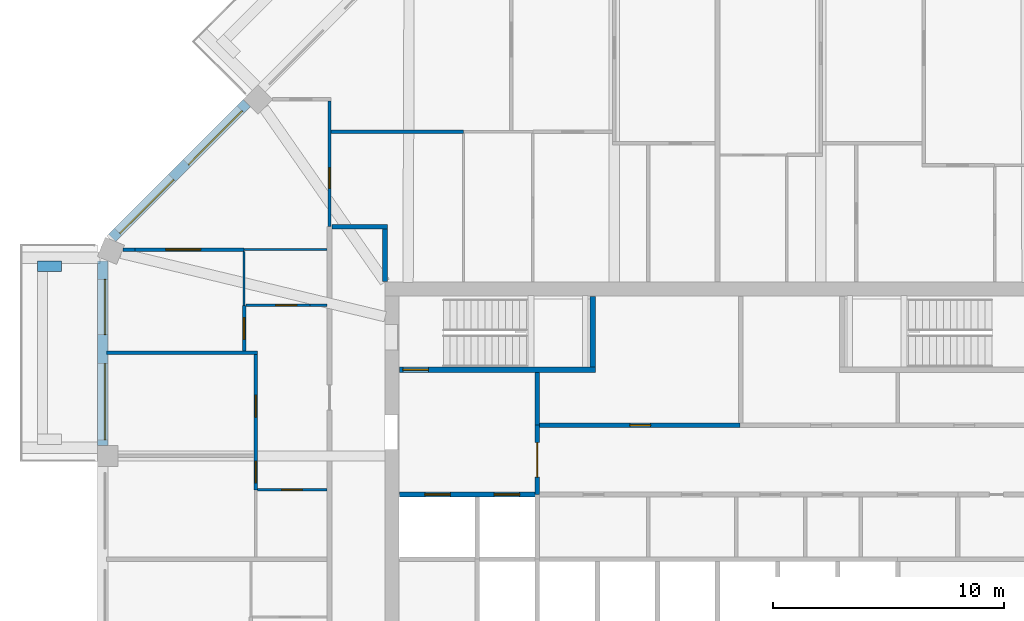
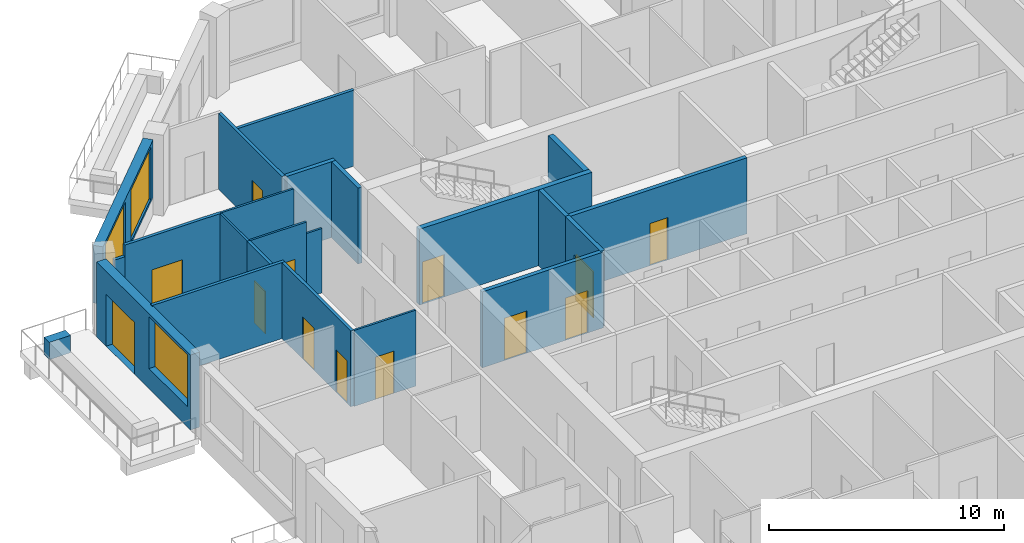
# One storey, part 7 of 12: 23 walls, 13 doors, 3 windows, 16 openings.
"""IFC4 building model written with IfcOpenShell, lengths in metres."""

from ifc_helpers import new_model, si_unit, direction, frame, frame_2d, origin, place, context, subcontext, project, spatial, rectangle, extrude, material, layer, layer_set, type_object, element, fill, save


model = new_model("IFC4")

# Units and contexts
model_context = context("Model", 3, precision=1e-05, world=origin(), true_north=direction((0.0, 1.0)))
body_context = subcontext(model_context, "Body", "Model", "MODEL_VIEW")
ifc_project = project(units=[si_unit("LENGTHUNIT", "METRE"), si_unit("AREAUNIT", "SQUARE_METRE"), si_unit("VOLUMEUNIT", "CUBIC_METRE"), si_unit("PLANEANGLEUNIT", "RADIAN"), si_unit("MASSUNIT", "GRAM", prefix="KILO")], contexts=[model_context])

# Site, building, storey
site_placement = place(None, origin())
site = spatial("IfcSite", under=ifc_project, at=site_placement, CompositionType="ELEMENT")
building_placement = place(site_placement, origin())
building = spatial("IfcBuilding", under=site, at=building_placement, Name="Msitu Wima Residences", CompositionType="ELEMENT")
storey_placement = place(building_placement, frame((0.0, 0.0, 276.89990234375)))
storey = spatial("IfcBuildingStorey", under=building, at=storey_placement, Name="L64", CompositionType="ELEMENT", Elevation=276.89990234375)

# Wall
ifc_material_1 = material(Name="Facing brick")
ifc_layer_1 = layer(ifc_material_1, 0.06494140625, Name="Facing brick")
ifc_material_2 = material(Name="Concrete C40/50", Category="concrete")
ifc_layer_2 = layer(ifc_material_2, 0.156005859375, Name="Concrete C40/50")
ifc_material_3 = material(Name="Waterproofing membrane")
ifc_layer_3 = layer(ifc_material_3, 0.00390625, Name="Waterproofing membrane")
ifc_material_4 = material(Name="Planting soil and planting")
ifc_layer_4 = layer(ifc_material_4, 0.22509765625, Name="Planting soil and planting")
ifc_layer_set_1 = layer_set([ifc_layer_1, ifc_layer_2, ifc_layer_3, ifc_layer_4], Name="Concrete C40/50")
wall_type_1 = type_object("IfcWallType", Name="Balcony planter PLANTER PL450", PredefinedType="USERDEFINED", material=ifc_layer_set_1)
wall_1_placement = place(storey_placement, frame((-28.39990234375, 12.680908203125, 0.0), z_axis=(0.0, 0.0, 1.0), x_axis=(-1.0, 0.0, 0.0)))
element("IfcWall", 1, at=wall_1_placement, inside=storey, type_object=wall_type_1, Name="Balcony planter W0 L64", ObjectType="PLANTER", PredefinedType="USERDEFINED", context=body_context, shape_type="SweptSolid", body=[
    extrude(rectangle(XDim=1.050048828125, YDim=0.449951171875, at=frame_2d((0.52490234375, 0.0))), origin(), (0.0, 0.0, 1.0), 0.900146484375),
])

# Wall, openings, windows
ifc_material_5 = material(Name="Brick (red buff mix)", Category="masonry")
ifc_layer_5 = layer(ifc_material_5, 0.449951171875)
ifc_layer_set_2 = layer_set([ifc_layer_5], Name="Brick (red buff mix)")
wall_type_2 = type_object("IfcWallType", Name="Brick infill wall BW450", PredefinedType="SOLIDWALL", material=ifc_layer_set_2)
wall_2_placement = place(storey_placement, frame((-20.380126953125, 19.743896484375, 0.900146484375), z_axis=(0.0, 0.0, 1.0), x_axis=(-0.707106781187, -0.707106781187, 0.0)))
wall_2 = element("IfcWall", 2, at=wall_2_placement, inside=storey, type_object=wall_type_2, Name="Brick infill wall L64 NW1", PredefinedType="SOLIDWALL", context=body_context, shape_type="SweptSolid", body=[
    extrude(rectangle(XDim=8.251220703125, YDim=0.449951171875, at=frame_2d((4.12548828125, 0.0))), origin(), (0.0, 0.0, 1.0), 3.0),
])
opening_1_placement = place(wall_2_placement, frame((0.37548828125, 0.0, 0.14990234375)))
opening_1 = element("IfcOpeningElement", 3, at=opening_1_placement, cuts=wall_2, Name="Opening W63-64.014", PredefinedType="OPENING", context=body_context, shape_type="SweptSolid", body=[
    extrude(rectangle(XDim=3.300048828125, YDim=2.699951171875, at=frame_2d((1.64990234375, 1.35009765625))), frame((0.0, 0.23486328125, 0.0), z_axis=(0.0, -1.0, 0.0), x_axis=(1.0, 0.0, 0.0)), (0.0, 0.0, 1.0), 0.469970703125),
])
opening_2_placement = place(wall_2_placement, frame((4.57568359375, 0.0, 0.14990234375)))
opening_2 = element("IfcOpeningElement", 4, at=opening_2_placement, cuts=wall_2, Name="Opening W63-64.015", PredefinedType="OPENING", context=body_context, shape_type="SweptSolid", body=[
    extrude(rectangle(XDim=3.300048828125, YDim=2.699951171875, at=frame_2d((1.64990234375, 1.35009765625))), frame((0.0, 0.23486328125, 0.0), z_axis=(0.0, -1.0, 0.0), x_axis=(1.0, 0.0, 0.0)), (0.0, 0.0, 1.0), 0.469970703125),
])
ifc_material_6 = material(Name="Anodised aluminium, bronze finish, clear low-emissivity double glazing", Category="aluminium")
window_type = type_object("IfcWindowType", Name="Window W3300x2700", PartitioningType="DOUBLE_PANEL_VERTICAL", PredefinedType="WINDOW", material=ifc_material_6)
window_1_placement = place(opening_1_placement, origin())
window_1 = element("IfcWindow", 5, at=window_1_placement, inside=storey, type_object=window_type, Name="Window L64 NW1.1", OverallHeight=2.699951171875, OverallWidth=3.300048828125, PartitioningType="SINGLE_PANEL", PredefinedType="WINDOW", context=body_context, shape_type="SweptSolid", body=[
    extrude(rectangle(XDim=3.300048828125, YDim=2.699951171875, at=frame_2d((1.64990234375, 1.35009765625))), frame((0.0, 0.135009765625, 0.0), z_axis=(0.0, -1.0, 0.0), x_axis=(1.0, 0.0, 0.0)), (0.0, 0.0, 1.0), 0.06005859375),
])
fill(opening_1, window_1)
window_2_placement = place(opening_2_placement, origin())
window_2 = element("IfcWindow", 6, at=window_2_placement, inside=storey, type_object=window_type, Name="Window L64 NW1.2", OverallHeight=2.699951171875, OverallWidth=3.300048828125, PartitioningType="SINGLE_PANEL", PredefinedType="WINDOW", context=body_context, shape_type="SweptSolid", body=[
    extrude(rectangle(XDim=3.300048828125, YDim=2.699951171875, at=frame_2d((1.64990234375, 1.35009765625))), frame((0.0, 0.135009765625, 0.0), z_axis=(0.0, -1.0, 0.0), x_axis=(1.0, 0.0, 0.0)), (0.0, 0.0, 1.0), 0.06005859375),
])
fill(opening_2, window_2)

# Wall, openings, door, window
wall_3_placement = place(storey_placement, frame((-26.625, 12.918701171875, 0.0), z_axis=(0.0, 0.0, 1.0), x_axis=(0.0, -1.0, 0.0)))
wall_3 = element("IfcWall", 7, at=wall_3_placement, inside=storey, type_object=wall_type_2, Name="Brick infill wall L64 W0", PredefinedType="SOLIDWALL", context=body_context, shape_type="SweptSolid", body=[
    extrude(rectangle(XDim=8.0, YDim=0.449951171875, at=frame_2d((4.0, 0.0))), origin(), (0.0, 0.0, 1.0), 3.900146484375),
])
opening_3_placement = place(wall_3_placement, frame((0.800048828125, 0.0, 0.0)))
opening_3 = element("IfcOpeningElement", 8, at=opening_3_placement, cuts=wall_3, Name="Opening D63-64.009", PredefinedType="OPENING", context=body_context, shape_type="SweptSolid", body=[
    extrude(rectangle(XDim=2.39990234375, YDim=2.699951171875, at=frame_2d((1.199951171875, 1.35009765625))), frame((0.0, 0.23486328125, 0.0), z_axis=(0.0, -1.0, 0.0), x_axis=(1.0, 0.0, 0.0)), (0.0, 0.0, 1.0), 0.469970703125),
])
opening_4_placement = place(wall_3_placement, frame((4.4501953125, 0.0, 1.050048828125)))
opening_4 = element("IfcOpeningElement", 9, at=opening_4_placement, cuts=wall_3, Name="Opening W63-64.027", PredefinedType="OPENING", context=body_context, shape_type="SweptSolid", body=[
    extrude(rectangle(XDim=3.300048828125, YDim=2.699951171875, at=frame_2d((1.64990234375, 1.35009765625))), frame((0.0, 0.23486328125, 0.0), z_axis=(0.0, -1.0, 0.0), x_axis=(1.0, 0.0, 0.0)), (0.0, 0.0, 1.0), 0.469970703125),
])
door_type_1 = type_object("IfcDoorType", Name="Balcony door D2400x2700", OperationType="SLIDING_TO_LEFT", PredefinedType="DOOR", material=ifc_material_6)
door_1_placement = place(opening_3_placement, origin())
door_1 = element("IfcDoor", 10, at=door_1_placement, inside=storey, type_object=door_type_1, Name="Balcony door L64 W0", OperationType="SINGLE_SWING_LEFT", OverallHeight=2.699951171875, OverallWidth=2.39990234375, PredefinedType="DOOR", context=body_context, shape_type="SweptSolid", body=[
    extrude(rectangle(XDim=2.39990234375, YDim=2.699951171875, at=frame_2d((1.199951171875, 1.35009765625))), frame((0.0, 0.1298828125, 0.0), z_axis=(0.0, -1.0, 0.0), x_axis=(1.0, 0.0, 0.0)), (0.0, 0.0, 1.0), 0.050048828125),
])
fill(opening_3, door_1)
window_3_placement = place(opening_4_placement, origin())
window_3 = element("IfcWindow", 11, at=window_3_placement, inside=storey, type_object=window_type, Name="Window L64 W0.2", OverallHeight=2.699951171875, OverallWidth=3.300048828125, PartitioningType="SINGLE_PANEL", PredefinedType="WINDOW", context=body_context, shape_type="SweptSolid", body=[
    extrude(rectangle(XDim=3.300048828125, YDim=2.699951171875, at=frame_2d((1.64990234375, 1.35009765625))), frame((0.0, 0.135009765625, 0.0), z_axis=(0.0, -1.0, 0.0), x_axis=(1.0, 0.0, 0.0)), (0.0, 0.0, 1.0), 0.06005859375),
])
fill(opening_4, window_3)

# Walls
ifc_material_7 = material(Name="Plaster")
ifc_layer_6 = layer(ifc_material_7, 0.011962890625, Name="Plaster")
ifc_material_8 = material(Name="Concrete blockwork", Category="masonry")
ifc_layer_7 = layer(ifc_material_8, 0.176025390625, Name="Concrete blockwork")
ifc_layer_8 = layer(ifc_material_7, 0.011962890625, Name="Plaster")
ifc_layer_set_3 = layer_set([ifc_layer_6, ifc_layer_7, ifc_layer_8], Name="Concrete blockwork")
wall_type_3 = type_object("IfcWallType", Name="Corridor wall FW200", PredefinedType="PARTITIONING", material=ifc_layer_set_3)
wall_4_placement = place(storey_placement, frame((-16.699951171875, 14.39990234375, 0.0), z_axis=(0.0, 0.0, 1.0), x_axis=(1.0, 0.0, 0.0)))
element("IfcWall", 12, at=wall_4_placement, inside=storey, type_object=wall_type_3, Name="Corridor wall", PredefinedType="PARTITIONING", context=body_context, shape_type="SweptSolid", body=[
    extrude(rectangle(XDim=2.39990234375, YDim=0.199951171875, at=frame_2d((1.199951171875, 0.0))), origin(), (0.0, 0.0, 1.0), 3.9501953125),
])
wall_5_placement = place(storey_placement, frame((-14.39990234375, 12.030029296875, 0.0), z_axis=(0.0, 0.0, 1.0), x_axis=(0.0, 1.0, 0.0)))
element("IfcWall", 13, at=wall_5_placement, inside=storey, type_object=wall_type_3, Name="Corridor wall", PredefinedType="PARTITIONING", context=body_context, shape_type="SweptSolid", body=[
    extrude(rectangle(XDim=2.27001953125, YDim=0.199951171875, at=frame_2d((1.135009765625, 0.0))), origin(), (0.0, 0.0, 1.0), 3.9501953125),
])

# Wall, opening, door
wall_6_placement = place(storey_placement, frame((-7.800048828125, 2.800048828125, 0.0), z_axis=(0.0, 0.0, 1.0), x_axis=(0.0, 1.0, 0.0)))
wall_6 = element("IfcWall", 14, at=wall_6_placement, inside=storey, type_object=wall_type_3, Name="Corridor wall", PredefinedType="PARTITIONING", context=body_context, shape_type="SweptSolid", body=[
    extrude(rectangle(XDim=3.0, YDim=0.199951171875, at=frame_2d((1.5, 0.0))), origin(), (0.0, 0.0, 1.0), 3.9501953125),
])
opening_5_placement = place(wall_6_placement, frame((0.75, 0.0, 0.0)))
opening_5 = element("IfcOpeningElement", 15, at=opening_5_placement, cuts=wall_6, Name="Opening D63-64.069", PredefinedType="OPENING", context=body_context, shape_type="SweptSolid", body=[
    extrude(rectangle(XDim=1.5, YDim=2.39990234375, at=frame_2d((0.75, 1.199951171875))), frame((0.0, 0.10986328125, 0.0), z_axis=(0.0, -1.0, 0.0), x_axis=(1.0, 0.0, 0.0)), (0.0, 0.0, 1.0), 0.219970703125),
])
ifc_material_9 = material(Name="Steel framed glazed door, fire resisting", Category="steel")
door_type_2 = type_object("IfcDoorType", Name="Lobby door D07 1500x2400", OperationType="DOUBLE_DOOR_SINGLE_SWING", PredefinedType="DOOR", material=ifc_material_9)
door_2_placement = place(opening_5_placement, origin())
door_2 = element("IfcDoor", 16, at=door_2_placement, inside=storey, type_object=door_type_2, Name="Lobby door", OperationType="DOUBLE_DOOR_SINGLE_SWING", OverallHeight=2.39990234375, OverallWidth=1.5, PredefinedType="DOOR", context=body_context, shape_type="SweptSolid", body=[
    extrude(rectangle(XDim=1.5, YDim=2.39990234375, at=frame_2d((0.75, 1.199951171875))), frame((0.0, 0.02490234375, 0.0), z_axis=(0.0, -1.0, 0.0), x_axis=(1.0, 0.0, 0.0)), (0.0, 0.0, 1.0), 0.050048828125),
])
fill(opening_5, door_2)

# Walls
ifc_layer_9 = layer(ifc_material_7, 0.011962890625, Name="Plaster")
ifc_layer_10 = layer(ifc_material_8, 0.1259765625, Name="Concrete blockwork")
ifc_layer_11 = layer(ifc_material_7, 0.011962890625, Name="Plaster")
ifc_layer_set_4 = layer_set([ifc_layer_9, ifc_layer_10, ifc_layer_11], Name="Concrete blockwork")
wall_type_4 = type_object("IfcWallType", Name="Partition PW150", PredefinedType="PARTITIONING", material=ifc_layer_set_4)
wall_7_placement = place(storey_placement, frame((-26.455078125, 8.937255859375, 0.0), z_axis=(0.0, 0.0, 1.0), x_axis=(1.0, 0.0, 0.0)))
element("IfcWall", 17, at=wall_7_placement, inside=storey, type_object=wall_type_4, Name="Partition", PredefinedType="PARTITIONING", context=body_context, shape_type="SweptSolid", body=[
    extrude(rectangle(XDim=6.530029296875, YDim=0.14990234375, at=frame_2d((3.26513671875, 0.0))), origin(), (0.0, 0.0, 1.0), 3.9501953125),
])
wall_8_placement = place(storey_placement, frame((-25.731201171875, 13.406005859375, 0.0), z_axis=(0.0, 0.0, 1.0), x_axis=(1.0, 0.0, 0.0)))
element("IfcWall", 18, at=wall_8_placement, inside=storey, type_object=wall_type_4, Name="Partition", PredefinedType="PARTITIONING", context=body_context, shape_type="SweptSolid", body=[
    extrude(rectangle(XDim=0.507080078125, YDim=0.14990234375, at=frame_2d((0.25341796875, 0.0))), origin(), (0.0, 0.0, 1.0), 3.35009765625),
])

# Wall, opening, door
wall_9_placement = place(storey_placement, frame((-25.22412109375, 13.406005859375, 0.0), z_axis=(0.0, 0.0, 1.0), x_axis=(1.0, 0.0, 0.0)))
wall_9 = element("IfcWall", 19, at=wall_9_placement, inside=storey, type_object=wall_type_4, Name="Partition", PredefinedType="PARTITIONING", context=body_context, shape_type="SweptSolid", body=[
    extrude(rectangle(XDim=4.72412109375, YDim=0.14990234375, at=frame_2d((2.362060546875, 0.0))), origin(), (0.0, 0.0, 1.0), 3.9501953125),
])
opening_6_placement = place(wall_9_placement, frame((1.3427734375, 0.0, 0.0)))
opening_6 = element("IfcOpeningElement", 20, at=opening_6_placement, cuts=wall_9, Name="Opening D63-64.035", PredefinedType="OPENING", context=body_context, shape_type="SweptSolid", body=[
    extrude(rectangle(XDim=1.5, YDim=2.199951171875, at=frame_2d((0.75, 1.10009765625))), frame((0.0, 0.0849609375, 0.0), z_axis=(0.0, -1.0, 0.0), x_axis=(1.0, 0.0, 0.0)), (0.0, 0.0, 1.0), 0.169921875),
])
ifc_material_10 = material(Name="Timber double door", Category="wood")
door_type_3 = type_object("IfcDoorType", Name="Double door D04 1500x2200", OperationType="DOUBLE_DOOR_SINGLE_SWING", PredefinedType="DOOR", material=ifc_material_10)
door_3_placement = place(opening_6_placement, origin())
door_3 = element("IfcDoor", 21, at=door_3_placement, inside=storey, type_object=door_type_3, Name="Double door", OperationType="DOUBLE_DOOR_SINGLE_SWING", OverallHeight=2.199951171875, OverallWidth=1.5, PredefinedType="DOOR", context=body_context, shape_type="SweptSolid", body=[
    extrude(rectangle(XDim=1.5, YDim=2.199951171875, at=frame_2d((0.75, 1.10009765625))), frame((0.0, 0.02490234375, 0.0), z_axis=(0.0, -1.0, 0.0), x_axis=(1.0, 0.0, 0.0)), (0.0, 0.0, 1.0), 0.050048828125),
])
fill(opening_6, door_3)

wall_10_placement = place(storey_placement, frame((-20.5, 9.01220703125, 0.0), z_axis=(0.0, 0.0, 1.0), x_axis=(0.0, 1.0, 0.0)))
wall_10 = element("IfcWall", 22, at=wall_10_placement, inside=storey, type_object=wall_type_4, Name="Partition", PredefinedType="PARTITIONING", context=body_context, shape_type="SweptSolid", body=[
    extrude(rectangle(XDim=1.9677734375, YDim=0.14990234375, at=frame_2d((0.98388671875, 0.0))), origin(), (0.0, 0.0, 1.0), 3.9501953125),
])
opening_7_placement = place(wall_10_placement, frame((0.5, 0.0, 0.0)))
opening_7 = element("IfcOpeningElement", 23, at=opening_7_placement, cuts=wall_10, Name="Opening D63-64.034", PredefinedType="OPENING", context=body_context, shape_type="SweptSolid", body=[
    extrude(rectangle(XDim=0.949951171875, YDim=2.199951171875, at=frame_2d((0.47509765625, 1.10009765625))), frame((0.0, 0.0849609375, 0.0), z_axis=(0.0, -1.0, 0.0), x_axis=(1.0, 0.0, 0.0)), (0.0, 0.0, 1.0), 0.169921875),
])
ifc_material_11 = material(Name="Timber flush door", Category="wood")
door_type_4 = type_object("IfcDoorType", Name="Room door D12 950x2200", OperationType="SINGLE_SWING_LEFT", PredefinedType="DOOR", material=ifc_material_11)
door_4_placement = place(opening_7_placement, origin())
door_4 = element("IfcDoor", 24, at=door_4_placement, inside=storey, type_object=door_type_4, Name="Room door", OperationType="SINGLE_SWING_LEFT", OverallHeight=2.199951171875, OverallWidth=0.949951171875, PredefinedType="DOOR", context=body_context, shape_type="SweptSolid", body=[
    extrude(rectangle(XDim=0.949951171875, YDim=2.199951171875, at=frame_2d((0.47509765625, 1.10009765625))), frame((0.0, 0.02490234375, 0.0), z_axis=(0.0, -1.0, 0.0), x_axis=(1.0, 0.0, 0.0)), (0.0, 0.0, 1.0), 0.050048828125),
])
fill(opening_7, door_4)

# Wall, openings, doors
wall_11_placement = place(storey_placement, frame((-20.0, 3.0, 0.0), z_axis=(0.0, 0.0, 1.0), x_axis=(0.0, 1.0, 0.0)))
wall_11 = element("IfcWall", 25, at=wall_11_placement, inside=storey, type_object=wall_type_4, Name="Partition", PredefinedType="PARTITIONING", context=body_context, shape_type="SweptSolid", body=[
    extrude(rectangle(XDim=5.8623046875, YDim=0.14990234375, at=frame_2d((2.93115234375, 0.0))), origin(), (0.0, 0.0, 1.0), 3.9501953125),
])
opening_8_placement = place(wall_11_placement, frame((0.300048828125, 0.0, 0.0)))
opening_8 = element("IfcOpeningElement", 26, at=opening_8_placement, cuts=wall_11, Name="Opening D63-64.032", PredefinedType="OPENING", context=body_context, shape_type="SweptSolid", body=[
    extrude(rectangle(XDim=0.949951171875, YDim=2.199951171875, at=frame_2d((0.47509765625, 1.10009765625))), frame((0.0, 0.0849609375, 0.0), z_axis=(0.0, -1.0, 0.0), x_axis=(1.0, 0.0, 0.0)), (0.0, 0.0, 1.0), 0.169921875),
])
opening_9_placement = place(wall_11_placement, frame((3.14990234375, 0.0, 0.0)))
opening_9 = element("IfcOpeningElement", 27, at=opening_9_placement, cuts=wall_11, Name="Opening D63-64.033", PredefinedType="OPENING", context=body_context, shape_type="SweptSolid", body=[
    extrude(rectangle(XDim=0.949951171875, YDim=2.199951171875, at=frame_2d((0.47509765625, 1.10009765625))), frame((0.0, 0.0849609375, 0.0), z_axis=(0.0, -1.0, 0.0), x_axis=(1.0, 0.0, 0.0)), (0.0, 0.0, 1.0), 0.169921875),
])
door_5_placement = place(opening_8_placement, origin())
door_5 = element("IfcDoor", 28, at=door_5_placement, inside=storey, type_object=door_type_4, Name="Room door", OperationType="SINGLE_SWING_RIGHT", OverallHeight=2.199951171875, OverallWidth=0.949951171875, PredefinedType="DOOR", context=body_context, shape_type="SweptSolid", body=[
    extrude(rectangle(XDim=0.949951171875, YDim=2.199951171875, at=frame_2d((0.47509765625, 1.10009765625))), frame((0.0, 0.02490234375, 0.0), z_axis=(0.0, -1.0, 0.0), x_axis=(1.0, 0.0, 0.0)), (0.0, 0.0, 1.0), 0.050048828125),
])
fill(opening_8, door_5)
door_6_placement = place(opening_9_placement, origin())
door_6 = element("IfcDoor", 29, at=door_6_placement, inside=storey, type_object=door_type_4, Name="Room door", OperationType="SINGLE_SWING_LEFT", OverallHeight=2.199951171875, OverallWidth=0.949951171875, PredefinedType="DOOR", context=body_context, shape_type="SweptSolid", body=[
    extrude(rectangle(XDim=0.949951171875, YDim=2.199951171875, at=frame_2d((0.47509765625, 1.10009765625))), frame((0.0, 0.02490234375, 0.0), z_axis=(0.0, -1.0, 0.0), x_axis=(1.0, 0.0, 0.0)), (0.0, 0.0, 1.0), 0.050048828125),
])
fill(opening_9, door_6)

# Wall, opening, door
wall_12_placement = place(storey_placement, frame((-16.800048828125, 14.39990234375, 0.0), z_axis=(0.0, 0.0, 1.0), x_axis=(0.0, 1.0, 0.0)))
wall_12 = element("IfcWall", 30, at=wall_12_placement, inside=storey, type_object=wall_type_4, Name="Partition", PredefinedType="PARTITIONING", context=body_context, shape_type="SweptSolid", body=[
    extrude(rectangle(XDim=5.427978515625, YDim=0.14990234375, at=frame_2d((2.7138671875, 0.0))), origin(), (0.0, 0.0, 1.0), 3.9501953125),
])
opening_10_placement = place(wall_12_placement, frame((1.64990234375, 0.0, 0.0)))
opening_10 = element("IfcOpeningElement", 31, at=opening_10_placement, cuts=wall_12, Name="Opening D63-64.036", PredefinedType="OPENING", context=body_context, shape_type="SweptSolid", body=[
    extrude(rectangle(XDim=0.89990234375, YDim=2.199951171875, at=frame_2d((0.449951171875, 1.10009765625))), frame((0.0, 0.0849609375, 0.0), z_axis=(0.0, -1.0, 0.0), x_axis=(1.0, 0.0, 0.0)), (0.0, 0.0, 1.0), 0.169921875),
])
door_type_5 = type_object("IfcDoorType", Name="Service door D05 900x2200", OperationType="SINGLE_SWING_LEFT", PredefinedType="DOOR", material=ifc_material_11)
door_7_placement = place(opening_10_placement, origin())
door_7 = element("IfcDoor", 32, at=door_7_placement, inside=storey, type_object=door_type_5, Name="Service door", OperationType="SINGLE_SWING_LEFT", OverallHeight=2.199951171875, OverallWidth=0.89990234375, PredefinedType="DOOR", context=body_context, shape_type="SweptSolid", body=[
    extrude(rectangle(XDim=0.89990234375, YDim=2.199951171875, at=frame_2d((0.449951171875, 1.10009765625))), frame((0.0, 0.02490234375, 0.0), z_axis=(0.0, -1.0, 0.0), x_axis=(1.0, 0.0, 0.0)), (0.0, 0.0, 1.0), 0.050048828125),
])
fill(opening_10, door_7)

# Walls
wall_13_placement = place(storey_placement, frame((-16.72509765625, 18.5, 0.0), z_axis=(0.0, 0.0, 1.0), x_axis=(1.0, 0.0, 0.0)))
element("IfcWall", 33, at=wall_13_placement, inside=storey, type_object=wall_type_4, Name="Partition", PredefinedType="PARTITIONING", context=body_context, shape_type="SweptSolid", body=[
    extrude(rectangle(XDim=5.72509765625, YDim=0.14990234375, at=frame_2d((2.862548828125, 0.0))), origin(), (0.0, 0.0, 1.0), 3.9501953125),
])
ifc_layer_12 = layer(ifc_material_7, 0.011962890625, Name="Plaster")
ifc_material_12 = material(Name="Reinforced concrete blockwork", Category="masonry")
ifc_layer_13 = layer(ifc_material_12, 0.176025390625, Name="Reinforced concrete blockwork")
ifc_layer_14 = layer(ifc_material_7, 0.011962890625, Name="Plaster")
ifc_layer_set_5 = layer_set([ifc_layer_12, ifc_layer_13, ifc_layer_14], Name="Reinforced concrete blockwork")
wall_type_5 = type_object("IfcWallType", Name="Plant and riser wall PL200", PredefinedType="PARTITIONING", material=ifc_layer_set_5)
wall_14_placement = place(storey_placement, frame((-7.800048828125, 5.800048828125, 0.0), z_axis=(0.0, 0.0, 1.0), x_axis=(0.0, 1.0, 0.0)))
element("IfcWall", 34, at=wall_14_placement, inside=storey, type_object=wall_type_5, Name="Plant and riser wall", PredefinedType="PARTITIONING", context=body_context, shape_type="SweptSolid", body=[
    extrude(rectangle(XDim=2.27490234375, YDim=0.199951171875, at=frame_2d((1.137451171875, 0.0))), origin(), (0.0, 0.0, 1.0), 3.9501953125),
])

# Wall, opening, door
wall_15_placement = place(storey_placement, frame((-7.699951171875, 5.800048828125, 0.0), z_axis=(0.0, 0.0, 1.0), x_axis=(1.0, 0.0, 0.0)))
wall_15 = element("IfcWall", 35, at=wall_15_placement, inside=storey, type_object=wall_type_5, Name="Plant and riser wall", PredefinedType="PARTITIONING", context=body_context, shape_type="SweptSolid", body=[
    extrude(rectangle(XDim=8.679931640625, YDim=0.199951171875, at=frame_2d((4.33984375, 0.0))), origin(), (0.0, 0.0, 1.0), 3.9501953125),
])
opening_11_placement = place(wall_15_placement, frame((3.89990234375, 0.0, 0.0)))
opening_11 = element("IfcOpeningElement", 36, at=opening_11_placement, cuts=wall_15, Name="Opening D63-64.072", PredefinedType="OPENING", context=body_context, shape_type="SweptSolid", body=[
    extrude(rectangle(XDim=0.89990234375, YDim=2.199951171875, at=frame_2d((0.449951171875, 1.10009765625))), frame((0.0, 0.10986328125, 0.0), z_axis=(0.0, -1.0, 0.0), x_axis=(1.0, 0.0, 0.0)), (0.0, 0.0, 1.0), 0.219970703125),
])
door_8_placement = place(opening_11_placement, origin())
door_8 = element("IfcDoor", 37, at=door_8_placement, inside=storey, type_object=door_type_5, Name="Service door", OperationType="SINGLE_SWING_RIGHT", OverallHeight=2.199951171875, OverallWidth=0.89990234375, PredefinedType="DOOR", context=body_context, shape_type="SweptSolid", body=[
    extrude(rectangle(XDim=0.89990234375, YDim=2.199951171875, at=frame_2d((0.449951171875, 1.10009765625))), frame((0.0, 0.02490234375, 0.0), z_axis=(0.0, -1.0, 0.0), x_axis=(1.0, 0.0, 0.0)), (0.0, 0.0, 1.0), 0.050048828125),
])
fill(opening_11, door_8)

# Wall, openings, doors
ifc_material_13 = material(Name="Fire-rated board")
ifc_layer_15 = layer(ifc_material_13, 0.02490234375, Name="Fire-rated board")
ifc_material_14 = material(Name="Light-gauge stud framing with mineral wool")
ifc_layer_16 = layer(ifc_material_14, 0.14990234375, Name="Light-gauge stud framing with mineral wool")
ifc_layer_17 = layer(ifc_material_13, 0.02490234375, Name="Fire-rated board")
ifc_layer_set_6 = layer_set([ifc_layer_15, ifc_layer_16, ifc_layer_17], Name="Light-gauge stud framing with mineral wool")
wall_type_6 = type_object("IfcWallType", Name="Shaft wall SH200", PredefinedType="PARTITIONING", material=ifc_layer_set_6)
wall_16_placement = place(storey_placement, frame((-13.77001953125, 2.800048828125, 0.0), z_axis=(0.0, 0.0, 1.0), x_axis=(1.0, 0.0, 0.0)))
wall_16 = element("IfcWall", 38, at=wall_16_placement, inside=storey, type_object=wall_type_6, Name="Shaft wall", PredefinedType="PARTITIONING", context=body_context, shape_type="SweptSolid", body=[
    extrude(rectangle(XDim=5.949951171875, YDim=0.199951171875, at=frame_2d((2.97509765625, 0.0))), origin(), (0.0, 0.0, 1.0), 3.9501953125),
])
opening_12_placement = place(wall_16_placement, frame((1.10009765625, 0.0, 0.0)))
opening_12 = element("IfcOpeningElement", 39, at=opening_12_placement, cuts=wall_16, Name="Opening LD", PredefinedType="OPENING", context=body_context, shape_type="SweptSolid", body=[
    extrude(rectangle(XDim=1.10009765625, YDim=2.199951171875, at=frame_2d((0.550048828125, 1.10009765625))), frame((0.0, 0.10986328125, 0.0), z_axis=(0.0, -1.0, 0.0), x_axis=(1.0, 0.0, 0.0)), (0.0, 0.0, 1.0), 0.219970703125),
])
opening_13_placement = place(wall_16_placement, frame((4.10009765625, 0.0, 0.0)))
opening_13 = element("IfcOpeningElement", 40, at=opening_13_placement, cuts=wall_16, Name="Opening LD", PredefinedType="OPENING", context=body_context, shape_type="SweptSolid", body=[
    extrude(rectangle(XDim=1.10009765625, YDim=2.199951171875, at=frame_2d((0.550048828125, 1.10009765625))), frame((0.0, 0.10986328125, 0.0), z_axis=(0.0, -1.0, 0.0), x_axis=(1.0, 0.0, 0.0)), (0.0, 0.0, 1.0), 0.219970703125),
])
ifc_material_15 = material(Name="Stainless steel centre-opening landing door, rated", Category="steel")
door_type_6 = type_object("IfcDoorType", Name="Lift landing door LD 1100x2200", OperationType="DOUBLE_DOOR_SLIDING", PredefinedType="DOOR", material=ifc_material_15)
door_9_placement = place(opening_12_placement, origin())
door_9 = element("IfcDoor", 41, at=door_9_placement, inside=storey, type_object=door_type_6, Name="Lift landing door LD1", OperationType="DOUBLE_DOOR_SLIDING", OverallHeight=2.199951171875, OverallWidth=1.10009765625, PredefinedType="DOOR", context=body_context, shape_type="SweptSolid", body=[
    extrude(rectangle(XDim=1.10009765625, YDim=2.199951171875, at=frame_2d((0.550048828125, 1.10009765625))), frame((0.0, 0.02490234375, 0.0), z_axis=(0.0, -1.0, 0.0), x_axis=(1.0, 0.0, 0.0)), (0.0, 0.0, 1.0), 0.050048828125),
])
fill(opening_12, door_9)
door_10_placement = place(opening_13_placement, origin())
door_10 = element("IfcDoor", 42, at=door_10_placement, inside=storey, type_object=door_type_6, Name="Lift landing door LD2", OperationType="DOUBLE_DOOR_SLIDING", OverallHeight=2.199951171875, OverallWidth=1.10009765625, PredefinedType="DOOR", context=body_context, shape_type="SweptSolid", body=[
    extrude(rectangle(XDim=1.10009765625, YDim=2.199951171875, at=frame_2d((0.550048828125, 1.10009765625))), frame((0.0, 0.02490234375, 0.0), z_axis=(0.0, -1.0, 0.0), x_axis=(1.0, 0.0, 0.0)), (0.0, 0.0, 1.0), 0.050048828125),
])
fill(opening_13, door_10)

# Wall, opening, door
ifc_material_16 = material(Name="Concrete C50/60", Category="concrete")
ifc_layer_18 = layer(ifc_material_16, 0.25)
ifc_layer_set_7 = layer_set([ifc_layer_18], Name="Concrete C50/60")
wall_type_7 = type_object("IfcWallType", Name="Stair enclosure wall SW250", PredefinedType="SHEAR", material=ifc_layer_set_7)
wall_17_placement = place(storey_placement, frame((-13.77001953125, 8.199951171875, 0.0), z_axis=(0.0, 0.0, 1.0), x_axis=(1.0, 0.0, 0.0)))
wall_17 = element("IfcWall", 43, at=wall_17_placement, inside=storey, type_object=wall_type_7, Name="Stair enclosure wall", PredefinedType="SHEAR", context=body_context, shape_type="SweptSolid", body=[
    extrude(rectangle(XDim=8.4951171875, YDim=0.25, at=frame_2d((4.24755859375, 0.0))), origin(), (0.0, 0.0, 1.0), 3.9501953125),
])
opening_14_placement = place(wall_17_placement, frame((0.14990234375, 0.0, 0.0)))
opening_14 = element("IfcOpeningElement", 44, at=opening_14_placement, cuts=wall_17, Name="Opening D63-64.087", PredefinedType="OPENING", context=body_context, shape_type="SweptSolid", body=[
    extrude(rectangle(XDim=1.10009765625, YDim=2.199951171875, at=frame_2d((0.550048828125, 1.10009765625))), frame((0.0, 0.135009765625, 0.0), z_axis=(0.0, -1.0, 0.0), x_axis=(1.0, 0.0, 0.0)), (0.0, 0.0, 1.0), 0.27001953125),
])
ifc_material_17 = material(Name="Steel door, fire resisting, panic bar", Category="steel")
door_type_7 = type_object("IfcDoorType", Name="Stair door D06 1100x2200", OperationType="SINGLE_SWING_LEFT", PredefinedType="DOOR", material=ifc_material_17)
door_11_placement = place(opening_14_placement, origin())
door_11 = element("IfcDoor", 45, at=door_11_placement, inside=storey, type_object=door_type_7, Name="Stair door", OperationType="SINGLE_SWING_LEFT", OverallHeight=2.199951171875, OverallWidth=1.10009765625, PredefinedType="DOOR", context=body_context, shape_type="SweptSolid", body=[
    extrude(rectangle(XDim=1.10009765625, YDim=2.199951171875, at=frame_2d((0.550048828125, 1.10009765625))), frame((0.0, 0.02490234375, 0.0), z_axis=(0.0, -1.0, 0.0), x_axis=(1.0, 0.0, 0.0)), (0.0, 0.0, 1.0), 0.050048828125),
])
fill(opening_14, door_11)

# Walls
wall_18_placement = place(storey_placement, frame((-5.39990234375, 8.324951171875, 0.0), z_axis=(0.0, 0.0, 1.0), x_axis=(0.0, 1.0, 0.0)))
element("IfcWall", 46, at=wall_18_placement, inside=storey, type_object=wall_type_7, Name="Stair enclosure wall", PredefinedType="SHEAR", context=body_context, shape_type="SweptSolid", body=[
    extrude(rectangle(XDim=3.045166015625, YDim=0.25, at=frame_2d((1.5224609375, 0.0))), origin(), (0.0, 0.0, 1.0), 3.9501953125),
])
ifc_material_18 = material(Name="Ceramic tiles")
ifc_layer_19 = layer(ifc_material_18, 0.008056640625, Name="Ceramic tiles")
ifc_material_19 = material(Name="Moisture-resistant board")
ifc_layer_20 = layer(ifc_material_19, 0.012451171875, Name="Moisture-resistant board")
ifc_layer_21 = layer(ifc_material_14, 0.06689453125, Name="Light-gauge stud framing with mineral wool")
ifc_layer_22 = layer(ifc_material_19, 0.012451171875, Name="Moisture-resistant board")
ifc_layer_set_8 = layer_set([ifc_layer_19, ifc_layer_20, ifc_layer_21, ifc_layer_22], Name="Light-gauge stud framing with mineral wool")
wall_type_8 = type_object("IfcWallType", Name="Wet wall PW100", PredefinedType="PARTITIONING", material=ifc_layer_set_8)
wall_19_placement = place(storey_placement, frame((-20.5, 10.97998046875, 0.0), z_axis=(0.0, 0.0, 1.0), x_axis=(0.0, 1.0, 0.0)))
element("IfcWall", 47, at=wall_19_placement, inside=storey, type_object=wall_type_8, Name="Wet wall", PredefinedType="PARTITIONING", context=body_context, shape_type="SweptSolid", body=[
    extrude(rectangle(XDim=2.350830078125, YDim=0.10009765625, at=frame_2d((1.17529296875, 0.0))), origin(), (0.0, 0.0, 1.0), 3.9501953125),
])

# Wall, opening, door
wall_20_placement = place(storey_placement, frame((-20.425048828125, 11.0, 0.0), z_axis=(0.0, 0.0, 1.0), x_axis=(1.0, 0.0, 0.0)))
wall_20 = element("IfcWall", 48, at=wall_20_placement, inside=storey, type_object=wall_type_8, Name="Wet wall", PredefinedType="PARTITIONING", context=body_context, shape_type="SweptSolid", body=[
    extrude(rectangle(XDim=2.771240234375, YDim=0.10009765625, at=frame_2d((1.3857421875, 0.0))), origin(), (0.0, 0.0, 1.0), 3.9501953125),
])
opening_15_placement = place(wall_20_placement, frame((1.300048828125, 0.0, 0.0)))
opening_15 = element("IfcOpeningElement", 49, at=opening_15_placement, cuts=wall_20, Name="Opening D63-64.031", PredefinedType="OPENING", context=body_context, shape_type="SweptSolid", body=[
    extrude(rectangle(XDim=0.89990234375, YDim=2.199951171875, at=frame_2d((0.449951171875, 1.10009765625))), frame((0.0, 0.06005859375, 0.0), z_axis=(0.0, -1.0, 0.0), x_axis=(1.0, 0.0, 0.0)), (0.0, 0.0, 1.0), 0.1201171875),
])
ifc_material_20 = material(Name="Timber flush door, moisture resistant", Category="wood")
door_type_8 = type_object("IfcDoorType", Name="Bathroom door D03 900x2200", OperationType="SINGLE_SWING_LEFT", PredefinedType="DOOR", material=ifc_material_20)
door_12_placement = place(opening_15_placement, origin())
door_12 = element("IfcDoor", 50, at=door_12_placement, inside=storey, type_object=door_type_8, Name="Bathroom door", OperationType="SINGLE_SWING_LEFT", OverallHeight=2.199951171875, OverallWidth=0.89990234375, PredefinedType="DOOR", context=body_context, shape_type="SweptSolid", body=[
    extrude(rectangle(XDim=0.89990234375, YDim=2.199951171875, at=frame_2d((0.449951171875, 1.10009765625))), frame((0.0, 0.02490234375, 0.0), z_axis=(0.0, -1.0, 0.0), x_axis=(1.0, 0.0, 0.0)), (0.0, 0.0, 1.0), 0.050048828125),
])
fill(opening_15, door_12)

# Walls
wall_21_placement = place(storey_placement, frame((-17.65380859375, 11.0, 0.0), z_axis=(0.0, 0.0, 1.0), x_axis=(1.0, 0.0, 0.0)))
element("IfcWall", 51, at=wall_21_placement, inside=storey, type_object=wall_type_8, Name="Wet wall", PredefinedType="PARTITIONING", context=body_context, shape_type="SweptSolid", body=[
    extrude(rectangle(XDim=0.75390625, YDim=0.10009765625, at=frame_2d((0.376953125, 0.0))), origin(), (0.0, 0.0, 1.0), 3.35009765625),
])
wall_22_placement = place(storey_placement, frame((-20.5, 13.406005859375, 0.0), z_axis=(0.0, 0.0, 1.0), x_axis=(1.0, 0.0, 0.0)))
element("IfcWall", 52, at=wall_22_placement, inside=storey, type_object=wall_type_8, Name="Wet wall", PredefinedType="PARTITIONING", context=body_context, shape_type="SweptSolid", body=[
    extrude(rectangle(XDim=3.60009765625, YDim=0.10009765625, at=frame_2d((1.800048828125, 0.0))), origin(), (0.0, 0.0, 1.0), 3.9501953125),
])

# Wall, opening, door
wall_23_placement = place(storey_placement, frame((-19.925048828125, 3.0, 0.0), z_axis=(0.0, 0.0, 1.0), x_axis=(1.0, 0.0, 0.0)))
wall_23 = element("IfcWall", 53, at=wall_23_placement, inside=storey, type_object=wall_type_8, Name="Wet wall", PredefinedType="PARTITIONING", context=body_context, shape_type="SweptSolid", body=[
    extrude(rectangle(XDim=3.025146484375, YDim=0.10009765625, at=frame_2d((1.5126953125, 0.0))), origin(), (0.0, 0.0, 1.0), 3.9501953125),
])
opening_16_placement = place(wall_23_placement, frame((1.050048828125, 0.0, 0.0)))
opening_16 = element("IfcOpeningElement", 54, at=opening_16_placement, cuts=wall_23, Name="Opening D63-64.026", PredefinedType="OPENING", context=body_context, shape_type="SweptSolid", body=[
    extrude(rectangle(XDim=0.89990234375, YDim=2.199951171875, at=frame_2d((0.449951171875, 1.10009765625))), frame((0.0, 0.06005859375, 0.0), z_axis=(0.0, -1.0, 0.0), x_axis=(1.0, 0.0, 0.0)), (0.0, 0.0, 1.0), 0.1201171875),
])
door_13_placement = place(opening_16_placement, origin())
door_13 = element("IfcDoor", 55, at=door_13_placement, inside=storey, type_object=door_type_8, Name="Bathroom door", OperationType="SINGLE_SWING_RIGHT", OverallHeight=2.199951171875, OverallWidth=0.89990234375, PredefinedType="DOOR", context=body_context, shape_type="SweptSolid", body=[
    extrude(rectangle(XDim=0.89990234375, YDim=2.199951171875, at=frame_2d((0.449951171875, 1.10009765625))), frame((0.0, 0.02490234375, 0.0), z_axis=(0.0, -1.0, 0.0), x_axis=(1.0, 0.0, 0.0)), (0.0, 0.0, 1.0), 0.050048828125),
])
fill(opening_16, door_13)

save(model, "model.ifc")
